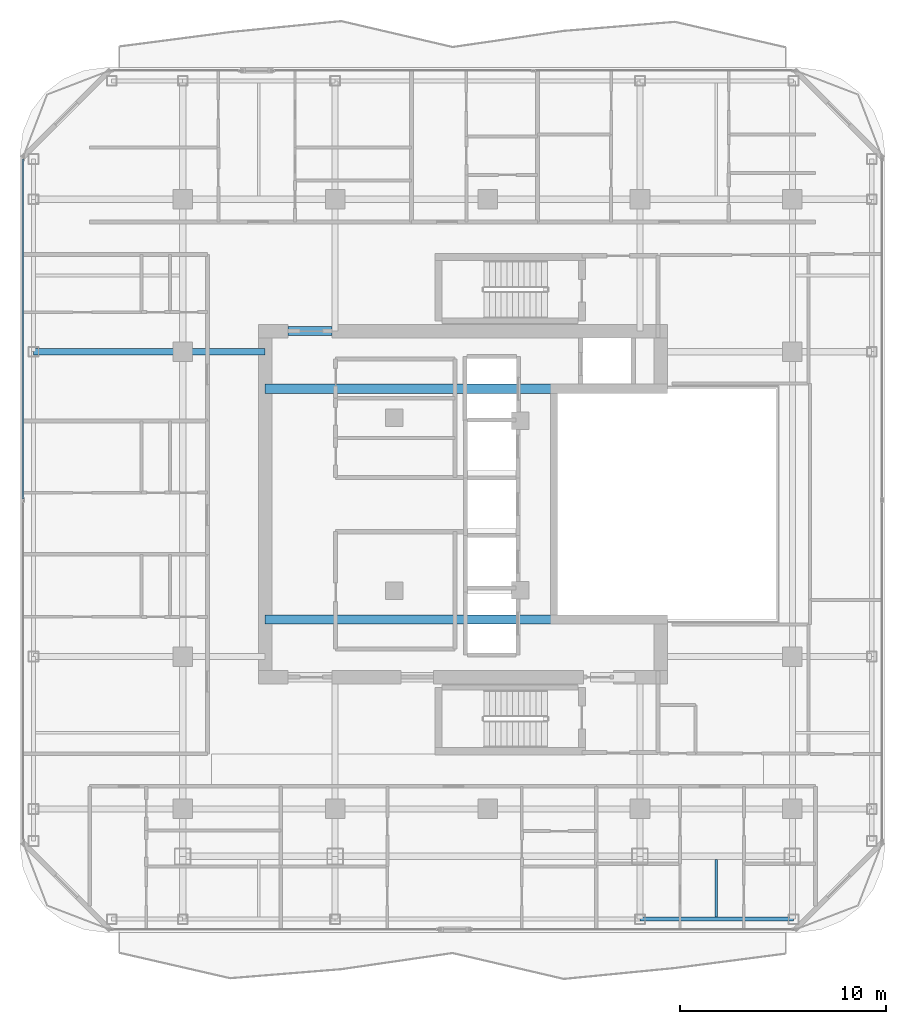
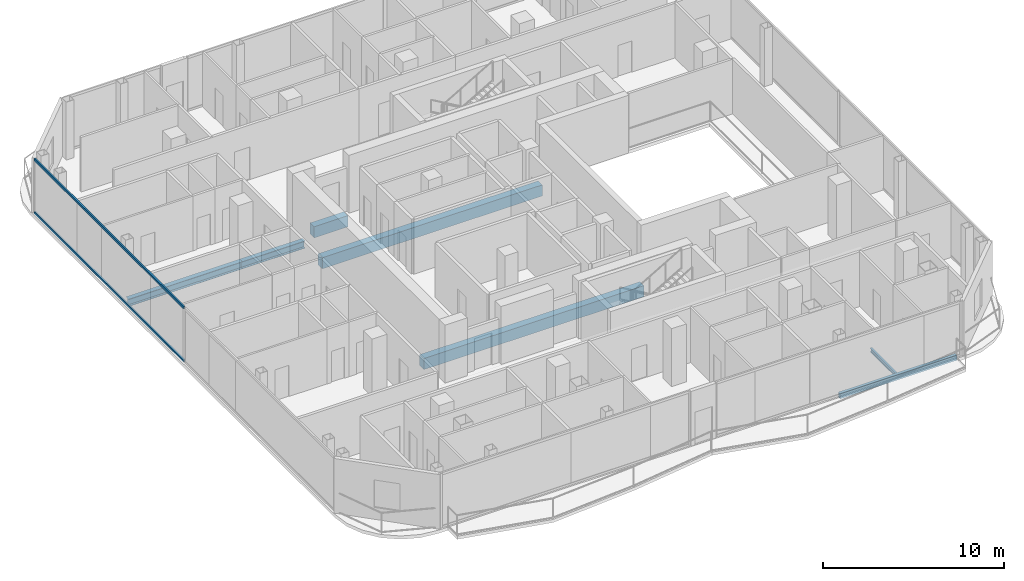
# One storey, part 7 of 23: 7 beams, 2 members, 1 element without a shape of its own.
"""IFC4 building model written with IfcOpenShell, lengths in metres."""

from ifc_helpers import new_model, si_unit, direction, frame, origin, origin_2d, place, context, subcontext, project, spatial, rectangle, hollow_rectangle, i_section, extrude, material, layer, layer_set, material_profile, profile_set, type_object, element, aggregate, save


model = new_model("IFC4")

# Units and contexts
model_context = context("Model", 3, precision=1e-05, world=origin(), true_north=direction((0.0, 1.0)))
body_context = subcontext(model_context, "Body", "Model", "MODEL_VIEW")
ifc_project = project(units=[si_unit("LENGTHUNIT", "METRE"), si_unit("AREAUNIT", "SQUARE_METRE"), si_unit("VOLUMEUNIT", "CUBIC_METRE"), si_unit("PLANEANGLEUNIT", "RADIAN"), si_unit("MASSUNIT", "GRAM", prefix="KILO")], contexts=[model_context])

# Site, building, storey
site_placement = place(None, origin())
site = spatial("IfcSite", under=ifc_project, at=site_placement, CompositionType="ELEMENT")
building_placement = place(site_placement, origin())
building = spatial("IfcBuilding", under=site, at=building_placement, Name="Khorvyn Point Tower", CompositionType="ELEMENT")
storey_placement = place(building_placement, frame((0.0, 0.0, 293.699951171875)))
storey = spatial("IfcBuildingStorey", under=building, at=storey_placement, Name="L72", CompositionType="ELEMENT", Elevation=293.699951171875)

# Curtain wall, members
ifc_material_1 = material(Name="Anodised aluminium 6063-T6 and laminated Low-E glass", Category="aluminium")
ifc_layer = layer(ifc_material_1, 0.18994140625)
ifc_layer_set = layer_set([ifc_layer], Name="Stick-Built High-Wind Curtain Wall CW-SYS-04")
curtain_wall_type = type_object("IfcCurtainWallType", Name="Stick-Built High-Wind Curtain Wall CW-SYS-04", PredefinedType="NOTDEFINED", material=ifc_layer_set)
curtain_wall_placement = place(storey_placement, origin())
curtain_wall = element("IfcCurtainWall", 1, at=curtain_wall_placement, inside=storey, type_object=curtain_wall_type, Name="Curtain Wall", PredefinedType="NOTDEFINED")
ifc_material_2 = material(Name="Anodised aluminium 6063-T6", Category="aluminium")
ifc_material_profile_1 = material_profile(ifc_material_2, hollow_rectangle(XDim=0.10009765625, YDim=0.159912109375, WallThickness=0.00439453125, at=origin_2d()))
ifc_profile_set_1 = profile_set([ifc_material_profile_1], Name="Anodised aluminium 6063-T6 ALU-TRN-100x160")
member_type = type_object("IfcMemberType", Name="Anodised Aluminium 6063-T6 Transom ALU-TRN-100x160", PredefinedType="USERDEFINED", material=ifc_profile_set_1)
member_1_placement = place(storey_placement, frame((-22.550048828125, 0.25, 0.050048828125), z_axis=(0.0, 1.0, 0.0), x_axis=(-1.0, 0.0, 0.0)))
member_1 = element("IfcMember", 2, at=member_1_placement, type_object=member_type, Name="Transom", ObjectType="TRANSOM", PredefinedType="USERDEFINED", context=body_context, shape_type="SweptSolid", body=[
    extrude(hollow_rectangle(XDim=0.10009765625, YDim=0.159912109375, WallThickness=0.00439453125, at=origin_2d()), origin(), (0.0, 0.0, 1.0), 16.5),
])
member_2_placement = place(storey_placement, frame((-22.550048828125, 0.25, 3.630126953125), z_axis=(0.0, 1.0, 0.0), x_axis=(-1.0, 0.0, 0.0)))
member_2 = element("IfcMember", 3, at=member_2_placement, type_object=member_type, Name="Transom", ObjectType="TRANSOM", PredefinedType="USERDEFINED", context=body_context, shape_type="SweptSolid", body=[
    extrude(hollow_rectangle(XDim=0.10009765625, YDim=0.159912109375, WallThickness=0.00439453125, at=origin_2d()), origin(), (0.0, 0.0, 1.0), 16.5),
])
aggregate(curtain_wall, [member_1, member_2])

# Beams
ifc_material_3 = material(Name="Concrete C40/50", Category="concrete")
ifc_material_profile_2 = material_profile(ifc_material_3, rectangle(XDim=0.449951171875, YDim=0.75, at=origin_2d()))
ifc_profile_set_2 = profile_set([ifc_material_profile_2], Name="Concrete C40/50 RC450x750")
beam_type_1 = type_object("IfcBeamType", Name="Concrete C40/50 Beam RC450x750", PredefinedType="BEAM", material=ifc_profile_set_2)
for number, where, z_axis, x_axis, name in (
    (4, (-10.800048828125, -5.60009765625, -0.594970703125), (1.0, 0.0, 0.0), (0.0, 1.0, 0.0), "L72 Core Internal Tie Girder S"),
    (5, (-10.800048828125, 5.60009765625, -0.594970703125), (1.0, 0.0, 0.0), (0.0, 1.0, 0.0), "L72 Core Internal Tie Girder N"),
):
    element("IfcBeam", number, at=place(storey_placement, frame(where, z_axis=z_axis, x_axis=x_axis)), inside=storey, type_object=beam_type_1, Name=name, PredefinedType="BEAM", context=body_context, shape_type="SweptSolid", body=[
        extrude(rectangle(XDim=0.449951171875, YDim=0.75, at=origin_2d()), origin(), (0.0, 0.0, 1.0), 14.02001953125),
    ])
beam_1_placement = place(storey_placement, frame((-9.699951171875, 8.39990234375, -0.594970703125), z_axis=(1.0, 0.0, 0.0), x_axis=(0.0, 1.0, 0.0)))
element("IfcBeam", 6, at=beam_1_placement, inside=storey, type_object=beam_type_1, Name="L72 Core Northwest Portal Coupling Beam", PredefinedType="BEAM", context=body_context, shape_type="SweptSolid", body=[
    extrude(rectangle(XDim=0.449951171875, YDim=0.75, at=origin_2d()), origin(), (0.0, 0.0, 1.0), 2.14990234375),
])
ifc_material_4 = material(Name="Steel S355", Category="steel")
ifc_material_profile_3 = material_profile(ifc_material_4, i_section(OverallWidth=0.125, OverallDepth=0.25, WebThickness=0.006103515625, FlangeThickness=0.009033203125, at=origin_2d()))
ifc_profile_set_3 = profile_set([ifc_material_profile_3], Name="Steel S355 H250x125x6x9")
beam_type_2 = type_object("IfcBeamType", Name="Steel S355 Joist H250x125x6x9", PredefinedType="JOIST", material=ifc_profile_set_3)
beam_2_placement = place(storey_placement, frame((11.10009765625, -20.050048828125, -0.344970703125), z_axis=(0.0, 1.0, 0.0), x_axis=(-1.0, 0.0, 0.0)))
element("IfcBeam", 7, at=beam_2_placement, inside=storey, type_object=beam_type_2, Name="Beam", PredefinedType="JOIST", context=body_context, shape_type="SweptSolid", body=[
    extrude(i_section(OverallWidth=0.125, OverallDepth=0.25, WebThickness=0.006103515625, FlangeThickness=0.009033203125, at=origin_2d()), origin(), (0.0, 0.0, 1.0), 2.800048828125),
])
ifc_material_profile_4 = material_profile(ifc_material_4, i_section(OverallWidth=0.300048828125, OverallDepth=0.488037109375, WebThickness=0.010986328125, FlangeThickness=0.01806640625, at=origin_2d()))
ifc_profile_set_4 = profile_set([ifc_material_profile_4], Name="Steel S355 H488x300x11x18")
beam_type_3 = type_object("IfcBeamType", Name="Steel S355 Spandrel H488x300x11x18", PredefinedType="SPANDREL", material=ifc_profile_set_4)
beam_3_placement = place(storey_placement, frame((-22.050048828125, 7.39990234375, -0.4638671875), z_axis=(1.0, 0.0, 0.0), x_axis=(0.0, 1.0, 0.0)))
element("IfcBeam", 8, at=beam_3_placement, inside=storey, type_object=beam_type_3, Name="Beam", PredefinedType="SPANDREL", context=body_context, shape_type="SweptSolid", body=[
    extrude(i_section(OverallWidth=0.300048828125, OverallDepth=0.488037109375, WebThickness=0.010986328125, FlangeThickness=0.01806640625, at=origin_2d()), origin(), (0.0, 0.0, 1.0), 7.25),
])
beam_4_placement = place(storey_placement, frame((-14.800048828125, 7.39990234375, -0.4638671875), z_axis=(1.0, 0.0, 0.0), x_axis=(0.0, 1.0, 0.0)))
element("IfcBeam", 9, at=beam_4_placement, inside=storey, type_object=beam_type_3, Name="Beam", PredefinedType="SPANDREL", context=body_context, shape_type="SweptSolid", body=[
    extrude(i_section(OverallWidth=0.300048828125, OverallDepth=0.488037109375, WebThickness=0.010986328125, FlangeThickness=0.01806640625, at=origin_2d()), origin(), (0.0, 0.0, 1.0), 4.0),
])
ifc_material_profile_5 = material_profile(ifc_material_4, hollow_rectangle(XDim=0.199951171875, YDim=0.35009765625, WallThickness=0.013916015625, at=origin_2d()))
ifc_profile_set_5 = profile_set([ifc_material_profile_5], Name="Steel S355 RHS350x200x14")
beam_type_4 = type_object("IfcBeamType", Name="Steel S355 Spandrel RHS350x200x14", PredefinedType="SPANDREL", material=ifc_profile_set_5)
beam_5_placement = place(storey_placement, frame((7.39990234375, -20.14990234375, -0.39501953125), z_axis=(1.0, 0.0, 0.0), x_axis=(0.0, 1.0, 0.0)))
element("IfcBeam", 10, at=beam_5_placement, inside=storey, type_object=beam_type_4, Name="Beam", PredefinedType="SPANDREL", context=body_context, shape_type="SweptSolid", body=[
    extrude(hollow_rectangle(XDim=0.199951171875, YDim=0.35009765625, WallThickness=0.013916015625, at=origin_2d()), origin(), (0.0, 0.0, 1.0), 7.4501953125),
])

save(model, "model.ifc")
